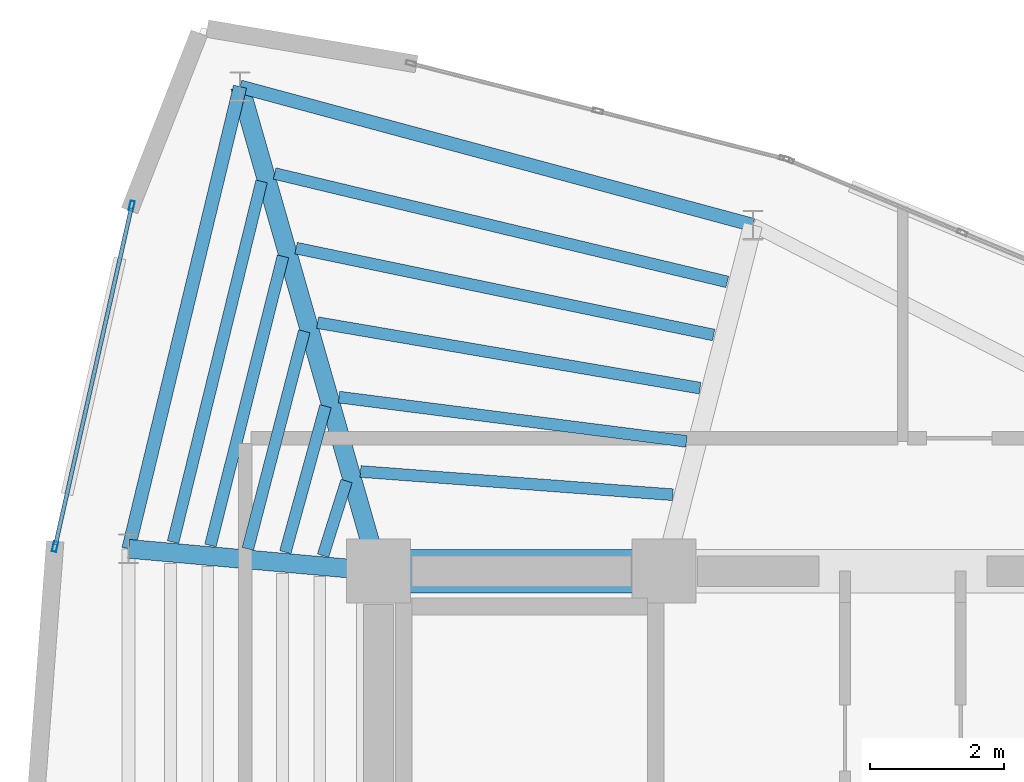
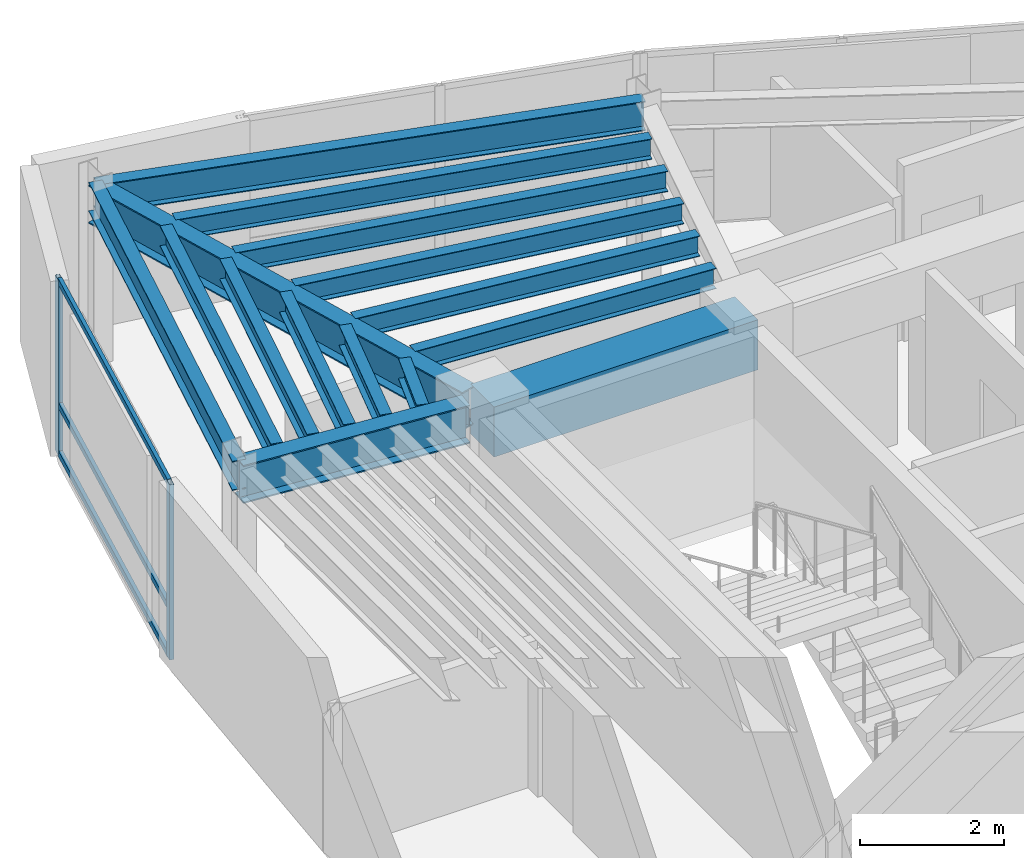
# One storey, part 7 of 14: 15 beams, 5 members, 1 element without a shape of its own.
"""IFC4 building model written with IfcOpenShell, lengths in metres."""

from ifc_helpers import new_model, si_unit, direction, frame, origin, origin_2d, place, context, subcontext, project, spatial, rectangle, hollow_rectangle, i_section, extrude, material, layer, layer_set, material_profile, profile_set, type_object, element, aggregate, save


model = new_model("IFC4")

# Units and contexts
model_context = context("Model", 3, precision=1e-05, world=origin(), true_north=direction((0.0, 1.0)))
body_context = subcontext(model_context, "Body", "Model", "MODEL_VIEW")
ifc_project = project(units=[si_unit("LENGTHUNIT", "METRE"), si_unit("AREAUNIT", "SQUARE_METRE"), si_unit("VOLUMEUNIT", "CUBIC_METRE"), si_unit("PLANEANGLEUNIT", "RADIAN"), si_unit("MASSUNIT", "GRAM", prefix="KILO")], contexts=[model_context])

# Site, building, storey
site_placement = place(None, origin())
site = spatial("IfcSite", under=ifc_project, at=site_placement, CompositionType="ELEMENT")
building_placement = place(site_placement, origin())
building = spatial("IfcBuilding", under=site, at=building_placement, Name="Menara Vayukalpa", CompositionType="ELEMENT")
storey_placement = place(building_placement, frame((0.0, 0.0, 305.6201171875)))
storey = spatial("IfcBuildingStorey", under=building, at=storey_placement, Name="L78", CompositionType="ELEMENT", Elevation=305.6201171875)

# Beams
ifc_material_1 = material(Name="Concrete C60/75", Category="concrete")
ifc_material_profile_1 = material_profile(ifc_material_1, rectangle(XDim=0.64990234375, YDim=0.85009765625, at=origin_2d()), Name="RC 650x850")
ifc_profile_set_1 = profile_set([ifc_material_profile_1], Name="Concrete C60/75")
beam_type_1 = type_object("IfcBeamType", Name="BM-CB1", PredefinedType="BEAM", material=ifc_profile_set_1)
beam_1_placement = place(storey_placement, frame((17.800048828125, 26.800048828125, 2.554931640625), z_axis=(1.0, 0.0, 0.0), x_axis=(0.0, 1.0, 0.0)))
element("IfcBeam", 1, at=beam_1_placement, inside=storey, type_object=beam_type_1, Name="L78 Core Tie Beam CBR4", PredefinedType="BEAM", context=body_context, shape_type="SweptSolid", body=[
    extrude(rectangle(XDim=0.64990234375, YDim=0.85009765625, at=origin_2d()), origin(), (0.0, 0.0, 1.0), 4.25),
])
ifc_material_2 = material(Name="Steel S355", Category="steel")
ifc_material_profile_2 = material_profile(ifc_material_2, i_section(OverallWidth=0.280029296875, OverallDepth=0.64990234375, WebThickness=0.012939453125, FlangeThickness=0.02197265625, at=origin_2d()), Name="WF 650x280x13x22")
ifc_profile_set_2 = profile_set([ifc_material_profile_2], Name="Steel S355")
beam_type_2 = type_object("IfcBeamType", Name="BM-PG6", PredefinedType="BEAM", material=ifc_profile_set_2)
beam_2_placement = place(storey_placement, frame((17.731201171875, 27.040283203125, 2.65478515625), z_axis=(-0.274721127897, 0.961523947641, 0.0), x_axis=(-0.961523947641, -0.274721127897, 0.0)))
element("IfcBeam", 2, at=beam_2_placement, inside=storey, type_object=beam_type_2, Name="L78 Primary Radial Girder RG04", PredefinedType="BEAM", context=body_context, shape_type="SweptSolid", body=[
    extrude(i_section(OverallWidth=0.280029296875, OverallDepth=0.64990234375, WebThickness=0.012939453125, FlangeThickness=0.02197265625, at=origin_2d()), origin(), (0.0, 0.0, 1.0), 7.246337890625),
])
beam_3_placement = place(storey_placement, frame((17.551025390625, 26.822265625, 2.65478515625), z_axis=(-0.996018615253, 0.089145488221, 0.0), x_axis=(-0.089145488221, -0.996018615253, 0.0)))
element("IfcBeam", 3, at=beam_3_placement, inside=storey, type_object=beam_type_2, Name="L78 Primary Radial Girder RG05", PredefinedType="BEAM", context=body_context, shape_type="SweptSolid", body=[
    extrude(i_section(OverallWidth=0.280029296875, OverallDepth=0.64990234375, WebThickness=0.012939453125, FlangeThickness=0.02197265625, at=origin_2d()), origin(), (0.0, 0.0, 1.0), 3.483642578125),
])
ifc_material_3 = material(Name="Steel S355", Category="steel")
ifc_material_profile_3 = material_profile(ifc_material_3, i_section(OverallWidth=0.175048828125, OverallDepth=0.35009765625, WebThickness=0.007080078125, FlangeThickness=0.010986328125, at=origin_2d()), Name="WF 350x175x7x11")
ifc_profile_set_3 = profile_set([ifc_material_profile_3], Name="Steel S355")
beam_type_3 = type_object("IfcBeamType", Name="BM-SJ3", PredefinedType="JOIST", material=ifc_profile_set_3)
beam_4_placement = place(storey_placement, frame((22.17919921875, 27.9375, 2.804931640625), z_axis=(-0.997251719177, 0.074087843793, 0.0), x_axis=(-0.074087843793, -0.997251719177, 0.0)))
element("IfcBeam", 4, at=beam_4_placement, inside=storey, type_object=beam_type_3, Name="L78 Secondary Floor Joist SJ03-1", PredefinedType="JOIST", context=body_context, shape_type="SweptSolid", body=[
    extrude(i_section(OverallWidth=0.175048828125, OverallDepth=0.35009765625, WebThickness=0.007080078125, FlangeThickness=0.010986328125, at=origin_2d()), origin(), (0.0, 0.0, 1.0), 4.659423828125),
])
beam_5_placement = place(storey_placement, frame((22.38134765625, 28.73095703125, 2.804931640625), z_axis=(-0.99198755764, 0.126335606566, 0.0), x_axis=(-0.126335606566, -0.99198755764, 0.0)))
element("IfcBeam", 5, at=beam_5_placement, inside=storey, type_object=beam_type_3, Name="L78 Secondary Floor Joist SJ03-2", PredefinedType="JOIST", context=body_context, shape_type="SweptSolid", body=[
    extrude(i_section(OverallWidth=0.175048828125, OverallDepth=0.35009765625, WebThickness=0.007080078125, FlangeThickness=0.010986328125, at=origin_2d()), origin(), (0.0, 0.0, 1.0), 5.2099609375),
])
beam_6_placement = place(storey_placement, frame((22.583740234375, 29.522705078125, 2.804931640625), z_axis=(-0.985653829347, 0.168779526877, 0.0), x_axis=(-0.168779526877, -0.985653829347, 0.0)))
element("IfcBeam", 6, at=beam_6_placement, inside=storey, type_object=beam_type_3, Name="L78 Secondary Floor Joist SJ03-3", PredefinedType="JOIST", context=body_context, shape_type="SweptSolid", body=[
    extrude(i_section(OverallWidth=0.175048828125, OverallDepth=0.35009765625, WebThickness=0.007080078125, FlangeThickness=0.010986328125, at=origin_2d()), origin(), (0.0, 0.0, 1.0), 5.77294921875),
])
beam_7_placement = place(storey_placement, frame((22.7861328125, 30.3134765625, 2.804931640625), z_axis=(-0.979026809099, 0.203731458211, 0.0), x_axis=(-0.203731458211, -0.979026809099, 0.0)))
element("IfcBeam", 7, at=beam_7_placement, inside=storey, type_object=beam_type_3, Name="L78 Secondary Floor Joist SJ03-4", PredefinedType="JOIST", context=body_context, shape_type="SweptSolid", body=[
    extrude(i_section(OverallWidth=0.175048828125, OverallDepth=0.35009765625, WebThickness=0.007080078125, FlangeThickness=0.010986328125, at=origin_2d()), origin(), (0.0, 0.0, 1.0), 6.34521484375),
])
beam_8_placement = place(storey_placement, frame((22.988525390625, 31.103515625, 2.804931640625), z_axis=(-0.972498563376, 0.232908875382, 0.0), x_axis=(-0.232908875382, -0.972498563376, 0.0)))
element("IfcBeam", 8, at=beam_8_placement, inside=storey, type_object=beam_type_3, Name="L78 Secondary Floor Joist SJ03-5", PredefinedType="JOIST", context=body_context, shape_type="SweptSolid", body=[
    extrude(i_section(OverallWidth=0.175048828125, OverallDepth=0.35009765625, WebThickness=0.007080078125, FlangeThickness=0.010986328125, at=origin_2d()), origin(), (0.0, 0.0, 1.0), 6.924560546875),
])
beam_9_placement = place(storey_placement, frame((17.324951171875, 28.141845703125, 2.804931640625), z_axis=(-0.300720135723, -0.953712430437, 0.0), x_axis=(0.953712430437, -0.300720135723, 0.0)))
element("IfcBeam", 9, at=beam_9_placement, inside=storey, type_object=beam_type_3, Name="L78 Secondary Floor Joist SJ04-1", PredefinedType="JOIST", context=body_context, shape_type="SweptSolid", body=[
    extrude(i_section(OverallWidth=0.175048828125, OverallDepth=0.35009765625, WebThickness=0.007080078125, FlangeThickness=0.010986328125, at=origin_2d()), origin(), (0.0, 0.0, 1.0), 1.1650390625),
])
beam_10_placement = place(storey_placement, frame((17.011962890625, 29.2548828125, 2.804931640625), z_axis=(-0.265408257597, -0.964136119435, 0.0), x_axis=(0.964136119435, -0.265408257597, 0.0)))
element("IfcBeam", 10, at=beam_10_placement, inside=storey, type_object=beam_type_3, Name="L78 Secondary Floor Joist SJ04-2", PredefinedType="JOIST", context=body_context, shape_type="SweptSolid", body=[
    extrude(i_section(OverallWidth=0.175048828125, OverallDepth=0.35009765625, WebThickness=0.007080078125, FlangeThickness=0.010986328125, at=origin_2d()), origin(), (0.0, 0.0, 1.0), 2.253662109375),
])
beam_11_placement = place(storey_placement, frame((16.69580078125, 30.369140625, 2.804931640625), z_axis=(-0.25101283466, -0.96798375856, 0.0), x_axis=(0.96798375856, -0.25101283466, 0.0)))
element("IfcBeam", 11, at=beam_11_placement, inside=storey, type_object=beam_type_3, Name="L78 Secondary Floor Joist SJ04-3", PredefinedType="JOIST", context=body_context, shape_type="SweptSolid", body=[
    extrude(i_section(OverallWidth=0.175048828125, OverallDepth=0.35009765625, WebThickness=0.007080078125, FlangeThickness=0.010986328125, at=origin_2d()), origin(), (0.0, 0.0, 1.0), 3.343994140625),
])
beam_12_placement = place(storey_placement, frame((16.37841796875, 31.483642578125, 2.804931640625), z_axis=(-0.243183291128, -0.969980353882, 0.0), x_axis=(0.969980353882, -0.243183291128, 0.0)))
element("IfcBeam", 12, at=beam_12_placement, inside=storey, type_object=beam_type_3, Name="L78 Secondary Floor Joist SJ04-4", PredefinedType="JOIST", context=body_context, shape_type="SweptSolid", body=[
    extrude(i_section(OverallWidth=0.175048828125, OverallDepth=0.35009765625, WebThickness=0.007080078125, FlangeThickness=0.010986328125, at=origin_2d()), origin(), (0.0, 0.0, 1.0), 4.434326171875),
])
beam_13_placement = place(storey_placement, frame((16.060791015625, 32.59814453125, 2.804931640625), z_axis=(-0.238311967576, -0.971188656292, 0.0), x_axis=(0.971188656292, -0.238311967576, 0.0)))
element("IfcBeam", 13, at=beam_13_placement, inside=storey, type_object=beam_type_3, Name="L78 Secondary Floor Joist SJ04-5", PredefinedType="JOIST", context=body_context, shape_type="SweptSolid", body=[
    extrude(i_section(OverallWidth=0.175048828125, OverallDepth=0.35009765625, WebThickness=0.007080078125, FlangeThickness=0.010986328125, at=origin_2d()), origin(), (0.0, 0.0, 1.0), 5.52490234375),
])
ifc_material_4 = material(Name="Steel S355", Category="steel")
ifc_material_profile_4 = material_profile(ifc_material_4, i_section(OverallWidth=0.199951171875, OverallDepth=0.5, WebThickness=0.010009765625, FlangeThickness=0.01611328125, at=origin_2d()), Name="WF 500x200x10x16")
ifc_profile_set_4 = profile_set([ifc_material_profile_4], Name="Steel S355")
beam_type_4 = type_object("IfcBeamType", Name="BM-SP3", PredefinedType="SPANDREL", material=ifc_profile_set_4)
beam_14_placement = place(storey_placement, frame((23.37060546875, 31.949462890625, 2.72998046875), z_axis=(-0.965485889412, 0.260455365361, 0.0), x_axis=(-0.260455365361, -0.965485889412, 0.0)))
element("IfcBeam", 14, at=beam_14_placement, inside=storey, type_object=beam_type_4, Name="L78 Perimeter Spandrel Beam SP03", PredefinedType="SPANDREL", context=body_context, shape_type="SweptSolid", body=[
    extrude(i_section(OverallWidth=0.199951171875, OverallDepth=0.5, WebThickness=0.010009765625, FlangeThickness=0.01611328125, at=origin_2d()), origin(), (0.0, 0.0, 1.0), 7.90283203125),
])
beam_15_placement = place(storey_placement, frame((15.740478515625, 34.0078125, 2.72998046875), z_axis=(-0.234600039411, -0.97209198202, 0.0), x_axis=(0.97209198202, -0.234600039411, 0.0)))
element("IfcBeam", 15, at=beam_15_placement, inside=storey, type_object=beam_type_4, Name="L78 Perimeter Spandrel Beam SP04", PredefinedType="SPANDREL", context=body_context, shape_type="SweptSolid", body=[
    extrude(i_section(OverallWidth=0.199951171875, OverallDepth=0.5, WebThickness=0.010009765625, FlangeThickness=0.01611328125, at=origin_2d()), origin(), (0.0, 0.0, 1.0), 7.072265625),
])

# Curtain wall, members
ifc_material_5 = material(Name="Anodised Terracotta Aluminium Alloy 6063-T6", Category="masonry")
ifc_layer = layer(ifc_material_5, 0.14990234375)
ifc_layer_set = layer_set([ifc_layer], Name="Anodised Terracotta Aluminium Alloy 6063-T6")
curtain_wall_type = type_object("IfcCurtainWallType", Name="CW-CW7", PredefinedType="USERDEFINED", material=ifc_layer_set)
curtain_wall_placement = place(storey_placement, origin())
curtain_wall = element("IfcCurtainWall", 16, at=curtain_wall_placement, inside=storey, type_object=curtain_wall_type, Name="L78 Crown Drum Screened Curtain Wall CW7 09", ObjectType="UNITISED", PredefinedType="USERDEFINED")
ifc_material_6 = material(Name="Anodised Terracotta Aluminium Alloy 6063-T6", Category="masonry")
ifc_material_profile_5 = material_profile(ifc_material_6, hollow_rectangle(XDim=0.06494140625, YDim=0.14990234375, WallThickness=0.00341796875, at=origin_2d()), Name="ALU 65x150x3.5")
ifc_profile_set_5 = profile_set([ifc_material_profile_5], Name="Anodised Terracotta Aluminium Alloy 6063-T6")
member_type_1 = type_object("IfcMemberType", Name="CWM-CW7", PredefinedType="MULLION", material=ifc_profile_set_5)
member_1_placement = place(storey_placement, frame((14.129150390625, 32.23388671875, 0.0), z_axis=(0.0, 0.0, 1.0), x_axis=(0.975608941973, -0.219515813421, 0.0)))
member_1 = element("IfcMember", 17, at=member_1_placement, type_object=member_type_1, Name="CW7 mullion 1", PredefinedType="MULLION", context=body_context, shape_type="SweptSolid", body=[
    extrude(hollow_rectangle(XDim=0.06494140625, YDim=0.14990234375, WallThickness=0.00341796875, at=origin_2d()), origin(), (0.0, 0.0, 1.0), 2.97998046875),
])
member_2_placement = place(storey_placement, frame((12.988525390625, 27.16455078125, 0.0), z_axis=(0.0, 0.0, 1.0), x_axis=(0.975608941973, -0.219515813421, 0.0)))
member_2 = element("IfcMember", 18, at=member_2_placement, type_object=member_type_1, Name="CW7 mullion 2", PredefinedType="MULLION", context=body_context, shape_type="SweptSolid", body=[
    extrude(hollow_rectangle(XDim=0.06494140625, YDim=0.14990234375, WallThickness=0.00341796875, at=origin_2d()), origin(), (0.0, 0.0, 1.0), 2.97998046875),
])
ifc_material_7 = material(Name="Anodised Terracotta Aluminium Alloy 6063-T6", Category="masonry")
ifc_material_profile_6 = material_profile(ifc_material_7, hollow_rectangle(XDim=0.06005859375, YDim=0.10498046875, WallThickness=0.0029296875, at=origin_2d()), Name="ALU 60x105x3")
ifc_profile_set_6 = profile_set([ifc_material_profile_6], Name="Anodised Terracotta Aluminium Alloy 6063-T6")
member_type_2 = type_object("IfcMemberType", Name="CWT-CW7", PredefinedType="USERDEFINED", material=ifc_profile_set_6)
member_3_placement = place(storey_placement, frame((14.1220703125, 32.2021484375, 0.02978515625), z_axis=(-0.219539368084, -0.975603641784, 0.0), x_axis=(0.975603641784, -0.219539368084, 0.0)))
member_3 = element("IfcMember", 19, at=member_3_placement, type_object=member_type_2, Name="CW7 transom 1.1", ObjectType="TRANSOM", PredefinedType="USERDEFINED", context=body_context, shape_type="SweptSolid", body=[
    extrude(hollow_rectangle(XDim=0.06005859375, YDim=0.10498046875, WallThickness=0.0029296875, at=origin_2d()), origin(), (0.0, 0.0, 1.0), 5.131103515625),
])
member_4_placement = place(storey_placement, frame((14.1220703125, 32.2021484375, 0.849853515625), z_axis=(-0.219539368084, -0.975603641784, 0.0), x_axis=(0.975603641784, -0.219539368084, 0.0)))
member_4 = element("IfcMember", 20, at=member_4_placement, type_object=member_type_2, Name="CW7 transom 1.2", ObjectType="TRANSOM", PredefinedType="USERDEFINED", context=body_context, shape_type="SweptSolid", body=[
    extrude(hollow_rectangle(XDim=0.06005859375, YDim=0.10498046875, WallThickness=0.0029296875, at=origin_2d()), origin(), (0.0, 0.0, 1.0), 5.131103515625),
])
member_5_placement = place(storey_placement, frame((14.1220703125, 32.2021484375, 2.949951171875), z_axis=(-0.219539368084, -0.975603641784, 0.0), x_axis=(0.975603641784, -0.219539368084, 0.0)))
member_5 = element("IfcMember", 21, at=member_5_placement, type_object=member_type_2, Name="CW7 transom 1.3", ObjectType="TRANSOM", PredefinedType="USERDEFINED", context=body_context, shape_type="SweptSolid", body=[
    extrude(hollow_rectangle(XDim=0.06005859375, YDim=0.10498046875, WallThickness=0.0029296875, at=origin_2d()), origin(), (0.0, 0.0, 1.0), 5.131103515625),
])
aggregate(curtain_wall, [member_1, member_2, member_3, member_4, member_5])

save(model, "model.ifc")
